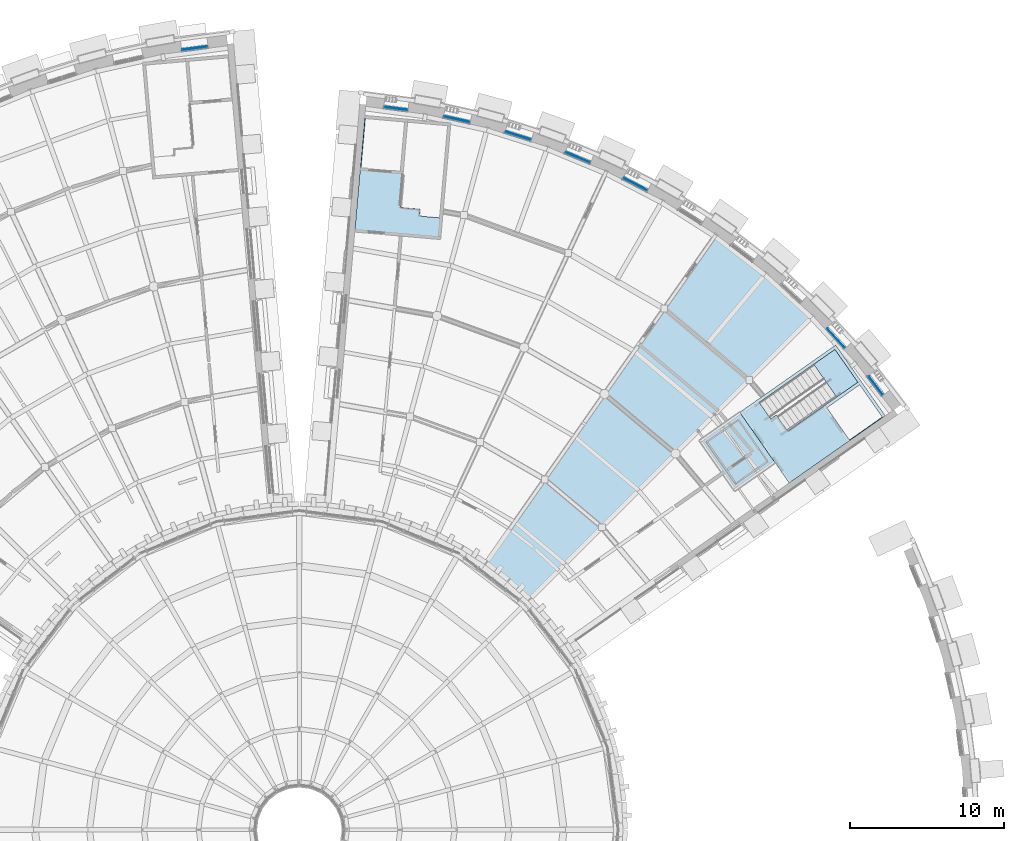
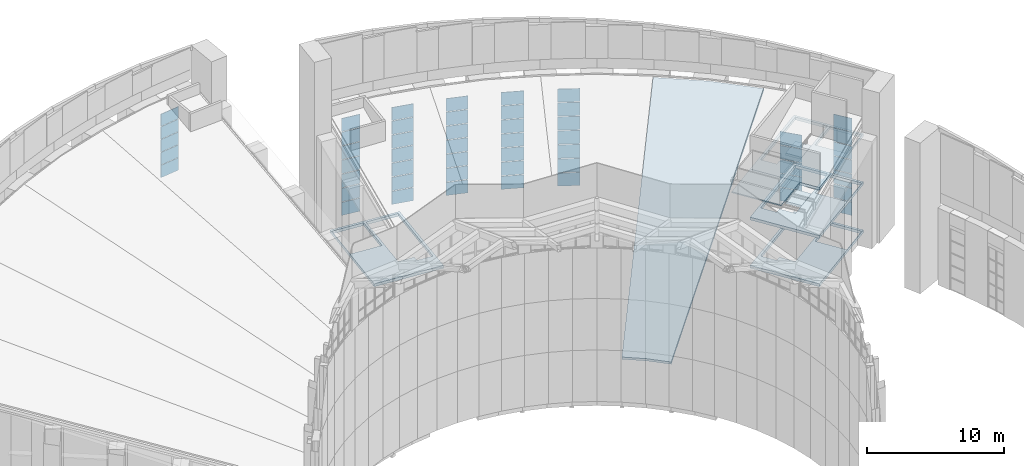
# One storey, part 50 of 82: 52 plates, 8 slabs, 10 elements without a shape of their own.
"""IFC4 building model written with IfcOpenShell, lengths in metres."""

from ifc_helpers import new_model, si_unit, direction, frame, origin, origin_2d, place, context, subcontext, project, spatial, polyline, rectangle, outline, extrude, material, layer, layer_set, type_object, element, aggregate, save


model = new_model("IFC4")

# Units and contexts
model_context = context("Model", 3, precision=1e-05, world=origin(), true_north=direction((0.0, 1.0)))
body_context = subcontext(model_context, "Body", "Model", "MODEL_VIEW")
ifc_project = project(units=[si_unit("LENGTHUNIT", "METRE"), si_unit("AREAUNIT", "SQUARE_METRE"), si_unit("VOLUMEUNIT", "CUBIC_METRE"), si_unit("PLANEANGLEUNIT", "RADIAN"), si_unit("MASSUNIT", "GRAM", prefix="KILO")], contexts=[model_context])

# Site, building, storey
site_placement = place(None, origin())
site = spatial("IfcSite", under=ifc_project, at=site_placement, CompositionType="ELEMENT")
building_placement = place(site_placement, origin())
building = spatial("IfcBuilding", under=site, at=building_placement, Name="Volute Hill Aquarium", CompositionType="ELEMENT")
storey_placement = place(building_placement, frame((0.0, 0.0, 13.800048828125)))
storey = spatial("IfcBuildingStorey", under=building, at=storey_placement, Name="L04", CompositionType="ELEMENT", Elevation=13.800048828125)

# Slabs
ifc_material_1 = material(Name="Concrete C30/37", Category="concrete")
ifc_layer_1 = layer(ifc_material_1, 0.25)
ifc_layer_set_1 = layer_set([ifc_layer_1], Name="Core floor slab 250")
slab_type_1 = type_object("IfcSlabType", Name="Core floor slab 250", PredefinedType="FLOOR", material=ifc_layer_set_1)
for number, where, name in (
    (1, (0.0, 0.0, -0.25), "cs/S5-A/L04"),
    (2, (0.0, 0.0, 4.050048828125), "cs/S5-A/m1"),
    (3, (0.0, 0.0, 8.349853515625), "cs/S5-A/roof"),
):
    element("IfcSlab", number, at=place(storey_placement, frame(where)), inside=storey, type_object=slab_type_1, Name=name, PredefinedType="FLOOR", context=body_context, shape_type="SweptSolid", body=[
        extrude(outline(polyline([(31.791259765625, 22.504638671875), (38.016845703125, 26.86376953125), (34.8046875, 31.451171875), (28.5791015625, 27.091796875), (31.791259765625, 22.504638671875)]), holes=[polyline([(34.23193359375, 27.3876953125), (36.36181640625, 28.87890625), (37.82421875, 26.7900390625), (35.694580078125, 25.298828125), (34.23193359375, 27.3876953125)]), polyline([(30.955078125, 26.92431640625), (30.587890625, 26.667236328125), (29.84228515625, 27.732177734375), (34.755615234375, 31.172607421875), (36.2470703125, 29.042724609375), (31.70068359375, 25.859375), (30.955078125, 26.92431640625)])]), origin(), (0.0, 0.0, 1.0), 0.25),
    ])
slab_1_placement = place(storey_placement, frame((0.0, 0.0, -0.25)))
element("IfcSlab", 4, at=slab_1_placement, inside=storey, type_object=slab_type_1, Name="cs/S5-B/L04", PredefinedType="FLOOR", context=body_context, shape_type="SweptSolid", body=[
    extrude(outline(polyline([(9.172607421875, 38.29638671875), (9.8349609375, 45.867431640625), (4.25634765625, 46.35546875), (3.593994140625, 38.784423828125), (9.172607421875, 38.29638671875)]), holes=[polyline([(4.009765625, 42.964111328125), (4.288818359375, 46.15185546875), (6.8291015625, 45.9296875), (6.550048828125, 42.74169921875), (4.009765625, 42.964111328125)]), polyline([(6.54443359375, 40.38330078125), (7.0283203125, 45.912109375), (9.618408203125, 45.685546875), (9.095703125, 39.71044921875), (7.800537109375, 39.82373046875), (7.839599609375, 40.27001953125), (6.54443359375, 40.38330078125)])]), origin(), (0.0, 0.0, 1.0), 0.25),
])

# Curtain wall, plates
ifc_material_2 = material(Name="Aluminium", Category="aluminium")
ifc_layer_2 = layer(ifc_material_2, 0.25)
ifc_layer_set_2 = layer_set([ifc_layer_2], Name="Curtain wall niche S5 module 1585")
curtain_wall_type_1 = type_object("IfcCurtainWallType", Name="Curtain wall niche S5 module 1585", PredefinedType="NOTDEFINED", material=ifc_layer_set_2)
curtain_wall_1_placement = place(storey_placement, origin())
curtain_wall_1 = element("IfcCurtainWall", 5, at=curtain_wall_1_placement, inside=storey, type_object=curtain_wall_type_1, Name="Curtain wall CW S5 L04 1", PredefinedType="NOTDEFINED")
ifc_material_3 = material(Name="Glass, low-iron laminated", Category="glass")
ifc_layer_3 = layer(ifc_material_3, 0.0439453125)
ifc_layer_set_3 = layer_set([ifc_layer_3], Name="Curtain wall glass panel S5 44")
plate_type_1 = type_object("IfcPlateType", Name="Curtain wall glass panel S5 44", PredefinedType="CURTAIN_PANEL", material=ifc_layer_set_3)
plate_1_placement = place(storey_placement, frame((37.408935546875, 28.8310546875, 0.510009765625), z_axis=(0.0, 0.0, 1.0), x_axis=(-0.608751946393, 0.793360616468, 0.0)))
plate_1 = element("IfcPlate", 6, at=plate_1_placement, type_object=plate_type_1, Name="CW panel 1.1", PredefinedType="CURTAIN_PANEL", context=body_context, shape_type="SweptSolid", body=[
    extrude(rectangle(XDim=1.46533203125, YDim=0.0439453125, at=origin_2d()), origin(), (0.0, 0.0, 1.0), 1.1640625),
])
plate_2_placement = place(storey_placement, frame((37.408935546875, 28.8310546875, 1.73388671875), z_axis=(0.0, 0.0, 1.0), x_axis=(-0.608751946393, 0.793360616468, 0.0)))
plate_2 = element("IfcPlate", 7, at=plate_2_placement, type_object=plate_type_1, Name="CW panel 1.2", PredefinedType="CURTAIN_PANEL", context=body_context, shape_type="SweptSolid", body=[
    extrude(rectangle(XDim=1.46533203125, YDim=0.0439453125, at=origin_2d()), origin(), (0.0, 0.0, 1.0), 1.194091796875),
])
plate_3_placement = place(storey_placement, frame((37.408935546875, 28.8310546875, 2.98779296875), z_axis=(0.0, 0.0, 1.0), x_axis=(-0.608751946393, 0.793360616468, 0.0)))
plate_3 = element("IfcPlate", 8, at=plate_3_placement, type_object=plate_type_1, Name="CW panel 1.3", PredefinedType="CURTAIN_PANEL", context=body_context, shape_type="SweptSolid", body=[
    extrude(rectangle(XDim=1.46533203125, YDim=0.0439453125, at=origin_2d()), origin(), (0.0, 0.0, 1.0), 1.194091796875),
])
plate_4_placement = place(storey_placement, frame((37.408935546875, 28.8310546875, 4.2421875), z_axis=(0.0, 0.0, 1.0), x_axis=(-0.608751946393, 0.793360616468, 0.0)))
plate_4 = element("IfcPlate", 9, at=plate_4_placement, type_object=plate_type_1, Name="CW panel 1.4", PredefinedType="CURTAIN_PANEL", context=body_context, shape_type="SweptSolid", body=[
    extrude(rectangle(XDim=1.46533203125, YDim=0.0439453125, at=origin_2d()), origin(), (0.0, 0.0, 1.0), 1.194091796875),
])
plate_5_placement = place(storey_placement, frame((37.408935546875, 28.8310546875, 5.49609375), z_axis=(0.0, 0.0, 1.0), x_axis=(-0.608751946393, 0.793360616468, 0.0)))
plate_5 = element("IfcPlate", 10, at=plate_5_placement, type_object=plate_type_1, Name="CW panel 1.5", PredefinedType="CURTAIN_PANEL", context=body_context, shape_type="SweptSolid", body=[
    extrude(rectangle(XDim=1.46533203125, YDim=0.0439453125, at=origin_2d()), origin(), (0.0, 0.0, 1.0), 1.194091796875),
])
plate_6_placement = place(storey_placement, frame((37.408935546875, 28.8310546875, 6.75), z_axis=(0.0, 0.0, 1.0), x_axis=(-0.608751946393, 0.793360616468, 0.0)))
plate_6 = element("IfcPlate", 11, at=plate_6_placement, type_object=plate_type_1, Name="CW panel 1.6", PredefinedType="CURTAIN_PANEL", context=body_context, shape_type="SweptSolid", body=[
    extrude(rectangle(XDim=1.46533203125, YDim=0.0439453125, at=origin_2d()), origin(), (0.0, 0.0, 1.0), 1.194091796875),
])
plate_7_placement = place(storey_placement, frame((37.408935546875, 28.8310546875, 8.004150390625), z_axis=(0.0, 0.0, 1.0), x_axis=(-0.608751946393, 0.793360616468, 0.0)))
plate_7 = element("IfcPlate", 12, at=plate_7_placement, type_object=plate_type_1, Name="CW panel 1.7", PredefinedType="CURTAIN_PANEL", context=body_context, shape_type="SweptSolid", body=[
    extrude(rectangle(XDim=1.46533203125, YDim=0.0439453125, at=origin_2d()), origin(), (0.0, 0.0, 1.0), 1.1640625),
])
aggregate(curtain_wall_1, [plate_1, plate_2, plate_3, plate_4, plate_5, plate_6, plate_7])

ifc_material_4 = material(Name="Aluminium", Category="aluminium")
ifc_layer_4 = layer(ifc_material_4, 0.25)
ifc_layer_set_4 = layer_set([ifc_layer_4], Name="Curtain wall niche S5 module 1786")
curtain_wall_type_2 = type_object("IfcCurtainWallType", Name="Curtain wall niche S5 module 1786", PredefinedType="NOTDEFINED", material=ifc_layer_set_4)
curtain_wall_2_placement = place(storey_placement, origin())
curtain_wall_2 = element("IfcCurtainWall", 13, at=curtain_wall_2_placement, inside=storey, type_object=curtain_wall_type_2, Name="Curtain wall CW S5 L04 2", PredefinedType="NOTDEFINED")
plate_8_placement = place(storey_placement, frame((34.8212890625, 31.907958984375, 0.509765625), z_axis=(0.0, 0.0, 1.0), x_axis=(-0.675584631529, 0.737282446313, 0.0)))
plate_8 = element("IfcPlate", 14, at=plate_8_placement, type_object=plate_type_1, Name="CW panel 1.1", PredefinedType="CURTAIN_PANEL", context=body_context, shape_type="SweptSolid", body=[
    extrude(rectangle(XDim=1.66552734375, YDim=0.0439453125, at=origin_2d()), origin(), (0.0, 0.0, 1.0), 1.163818359375),
])
plate_9_placement = place(storey_placement, frame((34.8212890625, 31.907958984375, 1.73388671875), z_axis=(0.0, 0.0, 1.0), x_axis=(-0.675584631529, 0.737282446313, 0.0)))
plate_9 = element("IfcPlate", 15, at=plate_9_placement, type_object=plate_type_1, Name="CW panel 1.2", PredefinedType="CURTAIN_PANEL", context=body_context, shape_type="SweptSolid", body=[
    extrude(rectangle(XDim=1.66552734375, YDim=0.0439453125, at=origin_2d()), origin(), (0.0, 0.0, 1.0), 1.193603515625),
])
plate_10_placement = place(storey_placement, frame((34.8212890625, 31.907958984375, 2.9873046875), z_axis=(0.0, 0.0, 1.0), x_axis=(-0.675584631529, 0.737282446313, 0.0)))
plate_10 = element("IfcPlate", 16, at=plate_10_placement, type_object=plate_type_1, Name="CW panel 1.3", PredefinedType="CURTAIN_PANEL", context=body_context, shape_type="SweptSolid", body=[
    extrude(rectangle(XDim=1.66552734375, YDim=0.0439453125, at=origin_2d()), origin(), (0.0, 0.0, 1.0), 1.193603515625),
])
plate_11_placement = place(storey_placement, frame((34.8212890625, 31.907958984375, 4.2412109375), z_axis=(0.0, 0.0, 1.0), x_axis=(-0.675584631529, 0.737282446313, 0.0)))
plate_11 = element("IfcPlate", 17, at=plate_11_placement, type_object=plate_type_1, Name="CW panel 1.4", PredefinedType="CURTAIN_PANEL", context=body_context, shape_type="SweptSolid", body=[
    extrude(rectangle(XDim=1.66552734375, YDim=0.0439453125, at=origin_2d()), origin(), (0.0, 0.0, 1.0), 1.193603515625),
])
plate_12_placement = place(storey_placement, frame((34.8212890625, 31.907958984375, 5.49462890625), z_axis=(0.0, 0.0, 1.0), x_axis=(-0.675584631529, 0.737282446313, 0.0)))
plate_12 = element("IfcPlate", 18, at=plate_12_placement, type_object=plate_type_1, Name="CW panel 1.5", PredefinedType="CURTAIN_PANEL", context=body_context, shape_type="SweptSolid", body=[
    extrude(rectangle(XDim=1.66552734375, YDim=0.0439453125, at=origin_2d()), origin(), (0.0, 0.0, 1.0), 1.193603515625),
])
aggregate(curtain_wall_2, [plate_8, plate_9, plate_10, plate_11, plate_12])

curtain_wall_3_placement = place(storey_placement, origin())
curtain_wall_3 = element("IfcCurtainWall", 19, at=curtain_wall_3_placement, inside=storey, type_object=curtain_wall_type_2, Name="Curtain wall CW S5 L04 6", PredefinedType="NOTDEFINED")
plate_13_placement = place(storey_placement, frame((21.808349609375, 41.893310546875, 0.509765625), z_axis=(0.0, 0.0, 1.0), x_axis=(-0.887007467928, 0.461755077763, 0.0)))
plate_13 = element("IfcPlate", 20, at=plate_13_placement, type_object=plate_type_1, Name="CW panel 1.1", PredefinedType="CURTAIN_PANEL", context=body_context, shape_type="SweptSolid", body=[
    extrude(rectangle(XDim=1.66552734375, YDim=0.0439453125, at=origin_2d()), origin(), (0.0, 0.0, 1.0), 1.163818359375),
])
plate_14_placement = place(storey_placement, frame((21.808349609375, 41.893310546875, 1.73388671875), z_axis=(0.0, 0.0, 1.0), x_axis=(-0.887007467928, 0.461755077763, 0.0)))
plate_14 = element("IfcPlate", 21, at=plate_14_placement, type_object=plate_type_1, Name="CW panel 1.2", PredefinedType="CURTAIN_PANEL", context=body_context, shape_type="SweptSolid", body=[
    extrude(rectangle(XDim=1.66552734375, YDim=0.0439453125, at=origin_2d()), origin(), (0.0, 0.0, 1.0), 1.193603515625),
])
plate_15_placement = place(storey_placement, frame((21.808349609375, 41.893310546875, 2.9873046875), z_axis=(0.0, 0.0, 1.0), x_axis=(-0.887007467928, 0.461755077763, 0.0)))
plate_15 = element("IfcPlate", 22, at=plate_15_placement, type_object=plate_type_1, Name="CW panel 1.3", PredefinedType="CURTAIN_PANEL", context=body_context, shape_type="SweptSolid", body=[
    extrude(rectangle(XDim=1.66552734375, YDim=0.0439453125, at=origin_2d()), origin(), (0.0, 0.0, 1.0), 1.193603515625),
])
plate_16_placement = place(storey_placement, frame((21.808349609375, 41.893310546875, 4.2412109375), z_axis=(0.0, 0.0, 1.0), x_axis=(-0.887007467928, 0.461755077763, 0.0)))
plate_16 = element("IfcPlate", 23, at=plate_16_placement, type_object=plate_type_1, Name="CW panel 1.4", PredefinedType="CURTAIN_PANEL", context=body_context, shape_type="SweptSolid", body=[
    extrude(rectangle(XDim=1.66552734375, YDim=0.0439453125, at=origin_2d()), origin(), (0.0, 0.0, 1.0), 1.193603515625),
])
plate_17_placement = place(storey_placement, frame((21.808349609375, 41.893310546875, 5.49462890625), z_axis=(0.0, 0.0, 1.0), x_axis=(-0.887007467928, 0.461755077763, 0.0)))
plate_17 = element("IfcPlate", 24, at=plate_17_placement, type_object=plate_type_1, Name="CW panel 1.5", PredefinedType="CURTAIN_PANEL", context=body_context, shape_type="SweptSolid", body=[
    extrude(rectangle(XDim=1.66552734375, YDim=0.0439453125, at=origin_2d()), origin(), (0.0, 0.0, 1.0), 1.193603515625),
])
plate_18_placement = place(storey_placement, frame((21.808349609375, 41.893310546875, 6.74853515625), z_axis=(0.0, 0.0, 1.0), x_axis=(-0.887007467928, 0.461755077763, 0.0)))
plate_18 = element("IfcPlate", 25, at=plate_18_placement, type_object=plate_type_1, Name="CW panel 1.6", PredefinedType="CURTAIN_PANEL", context=body_context, shape_type="SweptSolid", body=[
    extrude(rectangle(XDim=1.66552734375, YDim=0.0439453125, at=origin_2d()), origin(), (0.0, 0.0, 1.0), 1.193603515625),
])
plate_19_placement = place(storey_placement, frame((21.808349609375, 41.893310546875, 8.001953125), z_axis=(0.0, 0.0, 1.0), x_axis=(-0.887007467928, 0.461755077763, 0.0)))
plate_19 = element("IfcPlate", 26, at=plate_19_placement, type_object=plate_type_1, Name="CW panel 1.7", PredefinedType="CURTAIN_PANEL", context=body_context, shape_type="SweptSolid", body=[
    extrude(rectangle(XDim=1.66552734375, YDim=0.0439453125, at=origin_2d()), origin(), (0.0, 0.0, 1.0), 1.163818359375),
])
aggregate(curtain_wall_3, [plate_13, plate_14, plate_15, plate_16, plate_17, plate_18, plate_19])

curtain_wall_4_placement = place(storey_placement, origin())
curtain_wall_4 = element("IfcCurtainWall", 27, at=curtain_wall_4_placement, inside=storey, type_object=curtain_wall_type_2, Name="Curtain wall CW S5 L04 7", PredefinedType="NOTDEFINED")
plate_20_placement = place(storey_placement, frame((18.073974609375, 43.634521484375, 0.509765625), z_axis=(0.0, 0.0, 1.0), x_axis=(-0.923878338901, 0.382686313983, 0.0)))
plate_20 = element("IfcPlate", 28, at=plate_20_placement, type_object=plate_type_1, Name="CW panel 1.1", PredefinedType="CURTAIN_PANEL", context=body_context, shape_type="SweptSolid", body=[
    extrude(rectangle(XDim=1.66552734375, YDim=0.0439453125, at=origin_2d()), origin(), (0.0, 0.0, 1.0), 1.163818359375),
])
plate_21_placement = place(storey_placement, frame((18.073974609375, 43.634521484375, 1.73388671875), z_axis=(0.0, 0.0, 1.0), x_axis=(-0.923878338901, 0.382686313983, 0.0)))
plate_21 = element("IfcPlate", 29, at=plate_21_placement, type_object=plate_type_1, Name="CW panel 1.2", PredefinedType="CURTAIN_PANEL", context=body_context, shape_type="SweptSolid", body=[
    extrude(rectangle(XDim=1.66552734375, YDim=0.0439453125, at=origin_2d()), origin(), (0.0, 0.0, 1.0), 1.193603515625),
])
plate_22_placement = place(storey_placement, frame((18.073974609375, 43.634521484375, 2.9873046875), z_axis=(0.0, 0.0, 1.0), x_axis=(-0.923878338901, 0.382686313983, 0.0)))
plate_22 = element("IfcPlate", 30, at=plate_22_placement, type_object=plate_type_1, Name="CW panel 1.3", PredefinedType="CURTAIN_PANEL", context=body_context, shape_type="SweptSolid", body=[
    extrude(rectangle(XDim=1.66552734375, YDim=0.0439453125, at=origin_2d()), origin(), (0.0, 0.0, 1.0), 1.193603515625),
])
plate_23_placement = place(storey_placement, frame((18.073974609375, 43.634521484375, 4.2412109375), z_axis=(0.0, 0.0, 1.0), x_axis=(-0.923878338901, 0.382686313983, 0.0)))
plate_23 = element("IfcPlate", 31, at=plate_23_placement, type_object=plate_type_1, Name="CW panel 1.4", PredefinedType="CURTAIN_PANEL", context=body_context, shape_type="SweptSolid", body=[
    extrude(rectangle(XDim=1.66552734375, YDim=0.0439453125, at=origin_2d()), origin(), (0.0, 0.0, 1.0), 1.193603515625),
])
plate_24_placement = place(storey_placement, frame((18.073974609375, 43.634521484375, 5.49462890625), z_axis=(0.0, 0.0, 1.0), x_axis=(-0.923878338901, 0.382686313983, 0.0)))
plate_24 = element("IfcPlate", 32, at=plate_24_placement, type_object=plate_type_1, Name="CW panel 1.5", PredefinedType="CURTAIN_PANEL", context=body_context, shape_type="SweptSolid", body=[
    extrude(rectangle(XDim=1.66552734375, YDim=0.0439453125, at=origin_2d()), origin(), (0.0, 0.0, 1.0), 1.193603515625),
])
plate_25_placement = place(storey_placement, frame((18.073974609375, 43.634521484375, 6.74853515625), z_axis=(0.0, 0.0, 1.0), x_axis=(-0.923878338901, 0.382686313983, 0.0)))
plate_25 = element("IfcPlate", 33, at=plate_25_placement, type_object=plate_type_1, Name="CW panel 1.6", PredefinedType="CURTAIN_PANEL", context=body_context, shape_type="SweptSolid", body=[
    extrude(rectangle(XDim=1.66552734375, YDim=0.0439453125, at=origin_2d()), origin(), (0.0, 0.0, 1.0), 1.193603515625),
])
plate_26_placement = place(storey_placement, frame((18.073974609375, 43.634521484375, 8.001953125), z_axis=(0.0, 0.0, 1.0), x_axis=(-0.923878338901, 0.382686313983, 0.0)))
plate_26 = element("IfcPlate", 34, at=plate_26_placement, type_object=plate_type_1, Name="CW panel 1.7", PredefinedType="CURTAIN_PANEL", context=body_context, shape_type="SweptSolid", body=[
    extrude(rectangle(XDim=1.66552734375, YDim=0.0439453125, at=origin_2d()), origin(), (0.0, 0.0, 1.0), 1.163818359375),
])
aggregate(curtain_wall_4, [plate_20, plate_21, plate_22, plate_23, plate_24, plate_25, plate_26])

curtain_wall_5_placement = place(storey_placement, origin())
curtain_wall_5 = element("IfcCurtainWall", 35, at=curtain_wall_5_placement, inside=storey, type_object=curtain_wall_type_2, Name="Curtain wall CW S5 L04 8", PredefinedType="NOTDEFINED")
plate_27_placement = place(storey_placement, frame((14.202392578125, 45.043701171875, 0.509765625), z_axis=(0.0, 0.0, 1.0), x_axis=(-0.953717653977, 0.300703569139, 0.0)))
plate_27 = element("IfcPlate", 36, at=plate_27_placement, type_object=plate_type_1, Name="CW panel 1.1", PredefinedType="CURTAIN_PANEL", context=body_context, shape_type="SweptSolid", body=[
    extrude(rectangle(XDim=1.66552734375, YDim=0.0439453125, at=origin_2d()), origin(), (0.0, 0.0, 1.0), 1.163818359375),
])
plate_28_placement = place(storey_placement, frame((14.202392578125, 45.043701171875, 1.73388671875), z_axis=(0.0, 0.0, 1.0), x_axis=(-0.953717653977, 0.300703569139, 0.0)))
plate_28 = element("IfcPlate", 37, at=plate_28_placement, type_object=plate_type_1, Name="CW panel 1.2", PredefinedType="CURTAIN_PANEL", context=body_context, shape_type="SweptSolid", body=[
    extrude(rectangle(XDim=1.66552734375, YDim=0.0439453125, at=origin_2d()), origin(), (0.0, 0.0, 1.0), 1.193603515625),
])
plate_29_placement = place(storey_placement, frame((14.202392578125, 45.043701171875, 2.9873046875), z_axis=(0.0, 0.0, 1.0), x_axis=(-0.953717653977, 0.300703569139, 0.0)))
plate_29 = element("IfcPlate", 38, at=plate_29_placement, type_object=plate_type_1, Name="CW panel 1.3", PredefinedType="CURTAIN_PANEL", context=body_context, shape_type="SweptSolid", body=[
    extrude(rectangle(XDim=1.66552734375, YDim=0.0439453125, at=origin_2d()), origin(), (0.0, 0.0, 1.0), 1.193603515625),
])
plate_30_placement = place(storey_placement, frame((14.202392578125, 45.043701171875, 4.2412109375), z_axis=(0.0, 0.0, 1.0), x_axis=(-0.953717653977, 0.300703569139, 0.0)))
plate_30 = element("IfcPlate", 39, at=plate_30_placement, type_object=plate_type_1, Name="CW panel 1.4", PredefinedType="CURTAIN_PANEL", context=body_context, shape_type="SweptSolid", body=[
    extrude(rectangle(XDim=1.66552734375, YDim=0.0439453125, at=origin_2d()), origin(), (0.0, 0.0, 1.0), 1.193603515625),
])
plate_31_placement = place(storey_placement, frame((14.202392578125, 45.043701171875, 5.49462890625), z_axis=(0.0, 0.0, 1.0), x_axis=(-0.953717653977, 0.300703569139, 0.0)))
plate_31 = element("IfcPlate", 40, at=plate_31_placement, type_object=plate_type_1, Name="CW panel 1.5", PredefinedType="CURTAIN_PANEL", context=body_context, shape_type="SweptSolid", body=[
    extrude(rectangle(XDim=1.66552734375, YDim=0.0439453125, at=origin_2d()), origin(), (0.0, 0.0, 1.0), 1.193603515625),
])
plate_32_placement = place(storey_placement, frame((14.202392578125, 45.043701171875, 6.74853515625), z_axis=(0.0, 0.0, 1.0), x_axis=(-0.953717653977, 0.300703569139, 0.0)))
plate_32 = element("IfcPlate", 41, at=plate_32_placement, type_object=plate_type_1, Name="CW panel 1.6", PredefinedType="CURTAIN_PANEL", context=body_context, shape_type="SweptSolid", body=[
    extrude(rectangle(XDim=1.66552734375, YDim=0.0439453125, at=origin_2d()), origin(), (0.0, 0.0, 1.0), 1.193603515625),
])
plate_33_placement = place(storey_placement, frame((14.202392578125, 45.043701171875, 8.001953125), z_axis=(0.0, 0.0, 1.0), x_axis=(-0.953717653977, 0.300703569139, 0.0)))
plate_33 = element("IfcPlate", 42, at=plate_33_placement, type_object=plate_type_1, Name="CW panel 1.7", PredefinedType="CURTAIN_PANEL", context=body_context, shape_type="SweptSolid", body=[
    extrude(rectangle(XDim=1.66552734375, YDim=0.0439453125, at=origin_2d()), origin(), (0.0, 0.0, 1.0), 1.163818359375),
])
aggregate(curtain_wall_5, [plate_27, plate_28, plate_29, plate_30, plate_31, plate_32, plate_33])

curtain_wall_6_placement = place(storey_placement, origin())
curtain_wall_6 = element("IfcCurtainWall", 43, at=curtain_wall_6_placement, inside=storey, type_object=curtain_wall_type_2, Name="Curtain wall CW S5 L04 9", PredefinedType="NOTDEFINED")
plate_34_placement = place(storey_placement, frame((10.222412109375, 46.110107421875, 0.509765625), z_axis=(0.0, 0.0, 1.0), x_axis=(-0.976299855617, 0.216422253758, 0.0)))
plate_34 = element("IfcPlate", 44, at=plate_34_placement, type_object=plate_type_1, Name="CW panel 1.1", PredefinedType="CURTAIN_PANEL", context=body_context, shape_type="SweptSolid", body=[
    extrude(rectangle(XDim=1.66552734375, YDim=0.0439453125, at=origin_2d()), origin(), (0.0, 0.0, 1.0), 1.163818359375),
])
plate_35_placement = place(storey_placement, frame((10.222412109375, 46.110107421875, 1.73388671875), z_axis=(0.0, 0.0, 1.0), x_axis=(-0.976299855617, 0.216422253758, 0.0)))
plate_35 = element("IfcPlate", 45, at=plate_35_placement, type_object=plate_type_1, Name="CW panel 1.2", PredefinedType="CURTAIN_PANEL", context=body_context, shape_type="SweptSolid", body=[
    extrude(rectangle(XDim=1.66552734375, YDim=0.0439453125, at=origin_2d()), origin(), (0.0, 0.0, 1.0), 1.193603515625),
])
plate_36_placement = place(storey_placement, frame((10.222412109375, 46.110107421875, 2.9873046875), z_axis=(0.0, 0.0, 1.0), x_axis=(-0.976299855617, 0.216422253758, 0.0)))
plate_36 = element("IfcPlate", 46, at=plate_36_placement, type_object=plate_type_1, Name="CW panel 1.3", PredefinedType="CURTAIN_PANEL", context=body_context, shape_type="SweptSolid", body=[
    extrude(rectangle(XDim=1.66552734375, YDim=0.0439453125, at=origin_2d()), origin(), (0.0, 0.0, 1.0), 1.193603515625),
])
plate_37_placement = place(storey_placement, frame((10.222412109375, 46.110107421875, 4.2412109375), z_axis=(0.0, 0.0, 1.0), x_axis=(-0.976299855617, 0.216422253758, 0.0)))
plate_37 = element("IfcPlate", 47, at=plate_37_placement, type_object=plate_type_1, Name="CW panel 1.4", PredefinedType="CURTAIN_PANEL", context=body_context, shape_type="SweptSolid", body=[
    extrude(rectangle(XDim=1.66552734375, YDim=0.0439453125, at=origin_2d()), origin(), (0.0, 0.0, 1.0), 1.193603515625),
])
plate_38_placement = place(storey_placement, frame((10.222412109375, 46.110107421875, 5.49462890625), z_axis=(0.0, 0.0, 1.0), x_axis=(-0.976299855617, 0.216422253758, 0.0)))
plate_38 = element("IfcPlate", 48, at=plate_38_placement, type_object=plate_type_1, Name="CW panel 1.5", PredefinedType="CURTAIN_PANEL", context=body_context, shape_type="SweptSolid", body=[
    extrude(rectangle(XDim=1.66552734375, YDim=0.0439453125, at=origin_2d()), origin(), (0.0, 0.0, 1.0), 1.193603515625),
])
plate_39_placement = place(storey_placement, frame((10.222412109375, 46.110107421875, 6.74853515625), z_axis=(0.0, 0.0, 1.0), x_axis=(-0.976299855617, 0.216422253758, 0.0)))
plate_39 = element("IfcPlate", 49, at=plate_39_placement, type_object=plate_type_1, Name="CW panel 1.6", PredefinedType="CURTAIN_PANEL", context=body_context, shape_type="SweptSolid", body=[
    extrude(rectangle(XDim=1.66552734375, YDim=0.0439453125, at=origin_2d()), origin(), (0.0, 0.0, 1.0), 1.193603515625),
])
plate_40_placement = place(storey_placement, frame((10.222412109375, 46.110107421875, 8.001953125), z_axis=(0.0, 0.0, 1.0), x_axis=(-0.976299855617, 0.216422253758, 0.0)))
plate_40 = element("IfcPlate", 50, at=plate_40_placement, type_object=plate_type_1, Name="CW panel 1.7", PredefinedType="CURTAIN_PANEL", context=body_context, shape_type="SweptSolid", body=[
    extrude(rectangle(XDim=1.66552734375, YDim=0.0439453125, at=origin_2d()), origin(), (0.0, 0.0, 1.0), 1.163818359375),
])
aggregate(curtain_wall_6, [plate_34, plate_35, plate_36, plate_37, plate_38, plate_39, plate_40])

curtain_wall_7_placement = place(storey_placement, origin())
curtain_wall_7 = element("IfcCurtainWall", 51, at=curtain_wall_7_placement, inside=storey, type_object=curtain_wall_type_1, Name="Curtain wall CW S5 L04 10", PredefinedType="NOTDEFINED")
plate_41_placement = place(storey_placement, frame((6.263916015625, 46.8125, 0.510009765625), z_axis=(0.0, 0.0, 1.0), x_axis=(-0.991443171246, 0.130539029372, 0.0)))
plate_41 = element("IfcPlate", 52, at=plate_41_placement, type_object=plate_type_1, Name="CW panel 1.1", PredefinedType="CURTAIN_PANEL", context=body_context, shape_type="SweptSolid", body=[
    extrude(rectangle(XDim=1.46533203125, YDim=0.0439453125, at=origin_2d()), origin(), (0.0, 0.0, 1.0), 1.1640625),
])
plate_42_placement = place(storey_placement, frame((6.263916015625, 46.8125, 1.73388671875), z_axis=(0.0, 0.0, 1.0), x_axis=(-0.991443171246, 0.130539029372, 0.0)))
plate_42 = element("IfcPlate", 53, at=plate_42_placement, type_object=plate_type_1, Name="CW panel 1.2", PredefinedType="CURTAIN_PANEL", context=body_context, shape_type="SweptSolid", body=[
    extrude(rectangle(XDim=1.46533203125, YDim=0.0439453125, at=origin_2d()), origin(), (0.0, 0.0, 1.0), 1.194091796875),
])
plate_43_placement = place(storey_placement, frame((6.263916015625, 46.8125, 2.98779296875), z_axis=(0.0, 0.0, 1.0), x_axis=(-0.991443171246, 0.130539029372, 0.0)))
plate_43 = element("IfcPlate", 54, at=plate_43_placement, type_object=plate_type_1, Name="CW panel 1.3", PredefinedType="CURTAIN_PANEL", context=body_context, shape_type="SweptSolid", body=[
    extrude(rectangle(XDim=1.46533203125, YDim=0.0439453125, at=origin_2d()), origin(), (0.0, 0.0, 1.0), 1.194091796875),
])
plate_44_placement = place(storey_placement, frame((6.263916015625, 46.8125, 4.2421875), z_axis=(0.0, 0.0, 1.0), x_axis=(-0.991443171246, 0.130539029372, 0.0)))
plate_44 = element("IfcPlate", 55, at=plate_44_placement, type_object=plate_type_1, Name="CW panel 1.4", PredefinedType="CURTAIN_PANEL", context=body_context, shape_type="SweptSolid", body=[
    extrude(rectangle(XDim=1.46533203125, YDim=0.0439453125, at=origin_2d()), origin(), (0.0, 0.0, 1.0), 1.194091796875),
])
plate_45_placement = place(storey_placement, frame((6.263916015625, 46.8125, 5.49609375), z_axis=(0.0, 0.0, 1.0), x_axis=(-0.991443171246, 0.130539029372, 0.0)))
plate_45 = element("IfcPlate", 56, at=plate_45_placement, type_object=plate_type_1, Name="CW panel 1.5", PredefinedType="CURTAIN_PANEL", context=body_context, shape_type="SweptSolid", body=[
    extrude(rectangle(XDim=1.46533203125, YDim=0.0439453125, at=origin_2d()), origin(), (0.0, 0.0, 1.0), 1.194091796875),
])
plate_46_placement = place(storey_placement, frame((6.263916015625, 46.8125, 6.75), z_axis=(0.0, 0.0, 1.0), x_axis=(-0.991443171246, 0.130539029372, 0.0)))
plate_46 = element("IfcPlate", 57, at=plate_46_placement, type_object=plate_type_1, Name="CW panel 1.6", PredefinedType="CURTAIN_PANEL", context=body_context, shape_type="SweptSolid", body=[
    extrude(rectangle(XDim=1.46533203125, YDim=0.0439453125, at=origin_2d()), origin(), (0.0, 0.0, 1.0), 1.194091796875),
])
plate_47_placement = place(storey_placement, frame((6.263916015625, 46.8125, 8.004150390625), z_axis=(0.0, 0.0, 1.0), x_axis=(-0.991443171246, 0.130539029372, 0.0)))
plate_47 = element("IfcPlate", 58, at=plate_47_placement, type_object=plate_type_1, Name="CW panel 1.7", PredefinedType="CURTAIN_PANEL", context=body_context, shape_type="SweptSolid", body=[
    extrude(rectangle(XDim=1.46533203125, YDim=0.0439453125, at=origin_2d()), origin(), (0.0, 0.0, 1.0), 1.1640625),
])
aggregate(curtain_wall_7, [plate_41, plate_42, plate_43, plate_44, plate_45, plate_46, plate_47])

ifc_material_5 = material(Name="Aluminium", Category="aluminium")
ifc_layer_5 = layer(ifc_material_5, 0.25)
ifc_layer_set_5 = layer_set([ifc_layer_5], Name="Curtain wall niche S6 module 1734")
curtain_wall_type_3 = type_object("IfcCurtainWallType", Name="Curtain wall niche S6 module 1734", PredefinedType="NOTDEFINED", material=ifc_layer_set_5)
curtain_wall_8_placement = place(storey_placement, origin())
curtain_wall_8 = element("IfcCurtainWall", 59, at=curtain_wall_8_placement, inside=storey, type_object=curtain_wall_type_3, Name="Curtain wall CW S6 L04 1", PredefinedType="NOTDEFINED")
ifc_material_6 = material(Name="Glass, low-iron laminated", Category="glass")
ifc_layer_6 = layer(ifc_material_6, 0.0439453125)
ifc_layer_set_6 = layer_set([ifc_layer_6], Name="Curtain wall glass panel S6 44")
plate_type_2 = type_object("IfcPlateType", Name="Curtain wall glass panel S6 44", PredefinedType="CURTAIN_PANEL", material=ifc_layer_set_6)
plate_48_placement = place(storey_placement, frame((-6.779052734375, 50.72509765625, 6.2216796875), z_axis=(0.0, 0.0, 1.0), x_axis=(-0.99144508504, -0.130524493298, 0.0)))
plate_48 = element("IfcPlate", 60, at=plate_48_placement, type_object=plate_type_2, Name="CW panel 1.6", PredefinedType="CURTAIN_PANEL", context=body_context, shape_type="SweptSolid", body=[
    extrude(rectangle(XDim=1.633544921875, YDim=0.0439453125, at=origin_2d()), origin(), (0.0, 0.0, 1.0), 1.099365234375),
])
plate_49_placement = place(storey_placement, frame((-6.779052734375, 50.72509765625, 7.37109375), z_axis=(0.0, 0.0, 1.0), x_axis=(-0.99144508504, -0.130524493298, 0.0)))
plate_49 = element("IfcPlate", 61, at=plate_49_placement, type_object=plate_type_2, Name="CW panel 1.7", PredefinedType="CURTAIN_PANEL", context=body_context, shape_type="SweptSolid", body=[
    extrude(rectangle(XDim=1.633544921875, YDim=0.0439453125, at=origin_2d()), origin(), (0.0, 0.0, 1.0), 1.099365234375),
])
plate_50_placement = place(storey_placement, frame((-6.779052734375, 50.72509765625, 8.5205078125), z_axis=(0.0, 0.0, 1.0), x_axis=(-0.99144508504, -0.130524493298, 0.0)))
plate_50 = element("IfcPlate", 62, at=plate_50_placement, type_object=plate_type_2, Name="CW panel 1.8", PredefinedType="CURTAIN_PANEL", context=body_context, shape_type="SweptSolid", body=[
    extrude(rectangle(XDim=1.633544921875, YDim=0.0439453125, at=origin_2d()), origin(), (0.0, 0.0, 1.0), 1.099365234375),
])
plate_51_placement = place(storey_placement, frame((-6.779052734375, 50.72509765625, 9.669921875), z_axis=(0.0, 0.0, 1.0), x_axis=(-0.99144508504, -0.130524493298, 0.0)))
plate_51 = element("IfcPlate", 63, at=plate_51_placement, type_object=plate_type_2, Name="CW panel 1.9", PredefinedType="CURTAIN_PANEL", context=body_context, shape_type="SweptSolid", body=[
    extrude(rectangle(XDim=1.633544921875, YDim=0.0439453125, at=origin_2d()), origin(), (0.0, 0.0, 1.0), 1.099365234375),
])
plate_52_placement = place(storey_placement, frame((-6.779052734375, 50.72509765625, 10.8193359375), z_axis=(0.0, 0.0, 1.0), x_axis=(-0.99144508504, -0.130524493298, 0.0)))
plate_52 = element("IfcPlate", 64, at=plate_52_placement, type_object=plate_type_2, Name="CW panel 1.10", PredefinedType="CURTAIN_PANEL", context=body_context, shape_type="SweptSolid", body=[
    extrude(rectangle(XDim=1.633544921875, YDim=0.0439453125, at=origin_2d()), origin(), (0.0, 0.0, 1.0), 1.074462890625),
])
aggregate(curtain_wall_8, [plate_48, plate_49, plate_50, plate_51, plate_52])

# Slabs
ifc_material_7 = material(Name="Steel S355", Category="steel")
ifc_layer_7 = layer(ifc_material_7, 0.10009765625)
ifc_layer_set_7 = layer_set([ifc_layer_7], Name="Plant platform steel deck 100 S355")
slab_type_2 = type_object("IfcSlabType", Name="Plant platform steel deck 100 S355", PredefinedType="FLOOR", material=ifc_layer_set_7)
slab_2_placement = place(storey_placement, frame((0.0, 0.0, 8.5)))
element("IfcSlab", 65, at=slab_2_placement, inside=storey, type_object=slab_type_2, Name="pf/S5/L04/deck", PredefinedType="FLOOR", context=body_context, shape_type="SweptSolid", body=[
    extrude(outline(polyline([(28.252197265625, 21.979736328125), (30.87353515625, 23.815185546875), (28.5791015625, 27.091796875), (25.9580078125, 25.25634765625), (28.252197265625, 21.979736328125)])), origin(), (0.0, 0.0, 1.0), 0.099853515625),
])
ifc_material_8 = material(Name="Concrete C30/37", Category="concrete")
ifc_layer_8 = layer(ifc_material_8, 0.25)
ifc_layer_set_8 = layer_set([ifc_layer_8], Name="Roof slab 250 C30/37")
slab_type_3 = type_object("IfcSlabType", Name="Roof slab 250 C30/37", PredefinedType="ROOF", material=ifc_layer_set_8)
slab_3_placement = place(storey_placement, frame((33.340087890625, 33.340087890625, 10.32275390625), z_axis=(-0.160623210303, -0.191415736098, 0.968276923347), x_axis=(-0.737254715385, 0.675521358679, 0.011241824176)))
element("IfcSlab", 66, at=slab_3_placement, inside=storey, type_object=slab_type_3, Name="rf/S5/L04/2", PredefinedType="ROOF", context=body_context, shape_type="SweptSolid", body=[
    extrude(outline(polyline([(0.0, 0.0), (4.113546602482488, 2.1510571102112408e-16), (8.210432441603272, 0.36985387262990654), (4.722681116290686, 27.144068600302845), (2.898046513732504, 26.97923909484766), (1.0659317849560699, 26.97949008507132), (0.0, 0.0)])), origin(), (0.0, 0.0, -1.0), 0.25),
])

# Stair, slab
ifc_material_9 = material(Name="Concrete C35/45", Category="concrete")
stair_type = type_object("IfcStairType", Name="Stair C35/45", PredefinedType="HALF_TURN_STAIR", material=ifc_material_9)
stair_1_placement = place(storey_placement, origin())
stair_1 = element("IfcStair", 67, at=stair_1_placement, inside=storey, type_object=stair_type, Name="ST/S5-A/L04", PredefinedType="HALF_TURN_STAIR")
ifc_material_10 = material(Name="Concrete C35/45", Category="concrete")
ifc_layer_9 = layer(ifc_material_10, 0.199951171875)
ifc_layer_set_9 = layer_set([ifc_layer_9], Name="Stair landing C35/45 200")
slab_type_4 = type_object("IfcSlabType", Name="Stair landing C35/45 200", PredefinedType="LANDING", material=ifc_layer_set_9)
slab_4_placement = place(storey_placement, frame((0.0, 0.0, 1.949951171875)))
slab_4 = element("IfcSlab", 68, at=slab_4_placement, type_object=slab_type_4, Name="ST-S5-A-04 landing 1", PredefinedType="LANDING", context=body_context, shape_type="SweptSolid", body=[
    extrude(outline(polyline([(34.869140625, 28.077880859375), (36.2470703125, 29.042724609375), (34.755615234375, 31.172607421875), (33.3779296875, 30.207763671875), (34.869140625, 28.077880859375)])), origin(), (0.0, 0.0, 1.0), 0.199951171875),
])
aggregate(stair_1, [slab_4])

stair_2_placement = place(storey_placement, origin())
stair_2 = element("IfcStair", 69, at=stair_2_placement, inside=storey, type_object=stair_type, Name="ST/S5-A/L04m1", PredefinedType="HALF_TURN_STAIR")
slab_5_placement = place(storey_placement, frame((0.0, 0.0, 6.25)))
slab_5 = element("IfcSlab", 70, at=slab_5_placement, type_object=slab_type_4, Name="ST-S5-A-04m1 landing 1", PredefinedType="LANDING", context=body_context, shape_type="SweptSolid", body=[
    extrude(outline(polyline([(34.869140625, 28.077880859375), (36.2470703125, 29.042724609375), (34.755615234375, 31.172607421875), (33.3779296875, 30.207763671875), (34.869140625, 28.077880859375)])), origin(), (0.0, 0.0, 1.0), 0.199951171875),
])
aggregate(stair_2, [slab_5])

save(model, "model.ifc")
